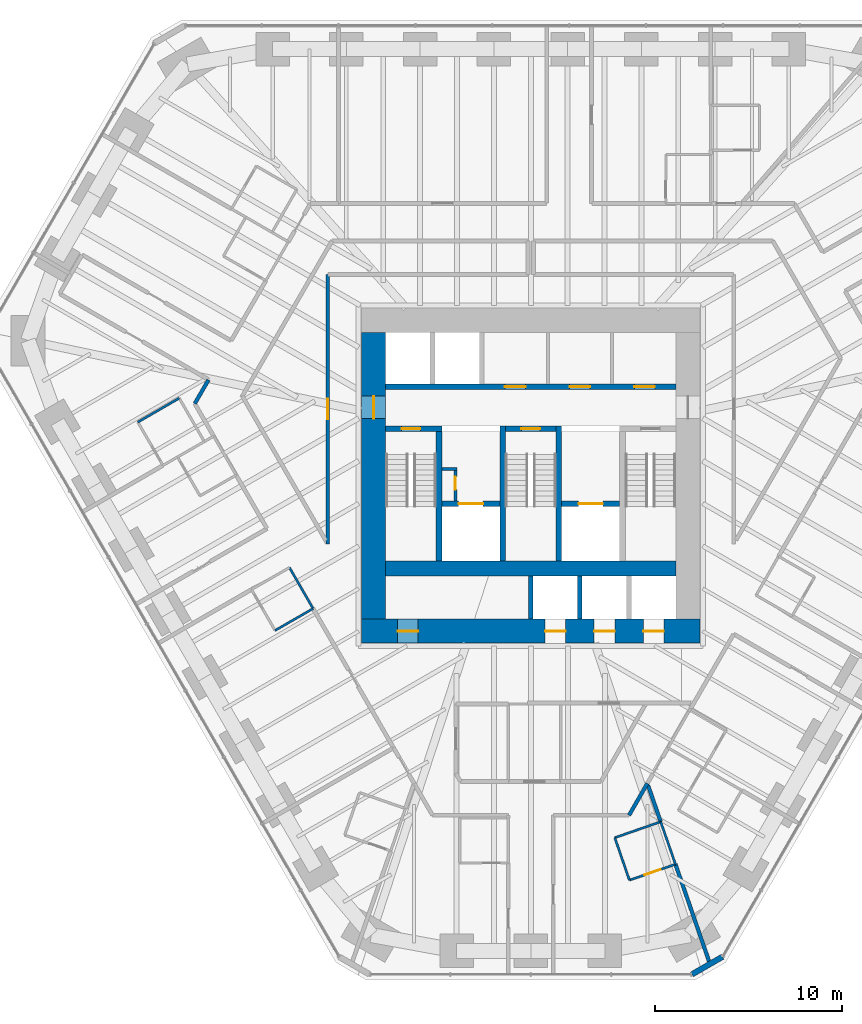
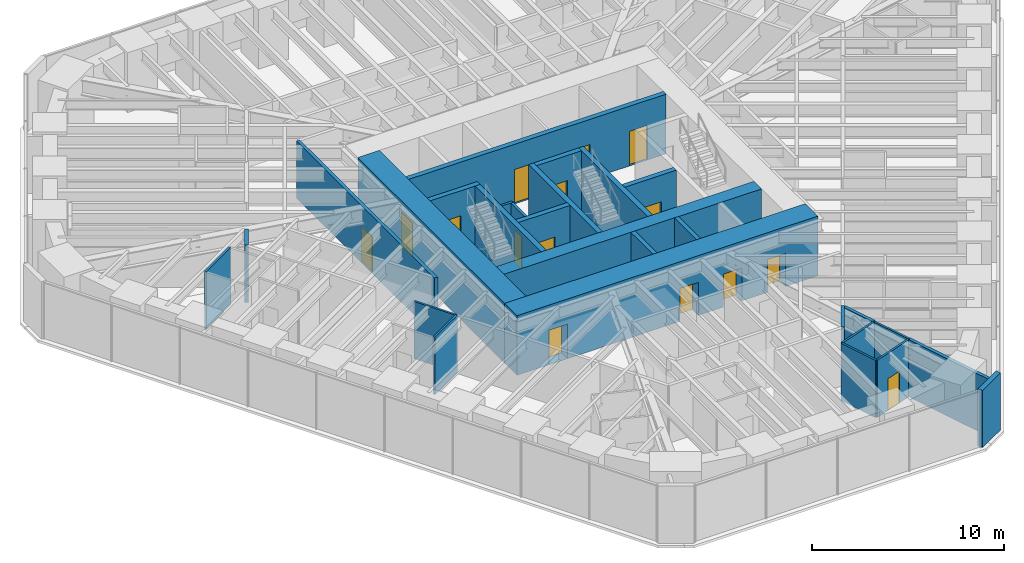
# One storey, part 12 of 16: 28 walls, 15 doors, 15 openings.
"""IFC4 building model written with IfcOpenShell, lengths in metres."""

from ifc_helpers import new_model, si_unit, direction, frame, frame_2d, origin, place, context, subcontext, project, spatial, rectangle, extrude, material, layer, layer_set, type_object, element, fill, save


model = new_model("IFC4")

# Units and contexts
model_context = context("Model", 3, precision=1e-05, world=origin(), true_north=direction((0.0, 1.0)))
body_context = subcontext(model_context, "Body", "Model", "MODEL_VIEW")
ifc_project = project(units=[si_unit("LENGTHUNIT", "METRE"), si_unit("AREAUNIT", "SQUARE_METRE"), si_unit("VOLUMEUNIT", "CUBIC_METRE"), si_unit("PLANEANGLEUNIT", "RADIAN"), si_unit("MASSUNIT", "GRAM", prefix="KILO")], contexts=[model_context])

# Site, building, storey
site_placement = place(None, origin())
site = spatial("IfcSite", under=ifc_project, at=site_placement, CompositionType="ELEMENT")
building_placement = place(site_placement, origin())
building = spatial("IfcBuilding", under=site, at=building_placement, Name="Sandreach Pilgrim Tower", CompositionType="ELEMENT")
storey_placement = place(building_placement, frame((0.0, 0.0, 131.0)))
storey = spatial("IfcBuildingStorey", under=building, at=storey_placement, Name="L32", CompositionType="ELEMENT", Elevation=131.0)

# Walls
ifc_material_1 = material(Name="Moisture-resistant gypsum board on steel studs", Category="steel")
ifc_layer_1 = layer(ifc_material_1, 0.1201171875)
ifc_layer_set_1 = layer_set([ifc_layer_1], Name="Bathroom partition 120")
wall_type_1 = type_object("IfcWallType", Name="Bathroom partition 120", PredefinedType="PARTITIONING", material=ifc_layer_set_1)
wall_1_placement = place(storey_placement, frame((-18.780029296875, 2.590087890625, 0.0), z_axis=(0.0, 0.0, 1.0), x_axis=(-0.865328095335, -0.50120583339, 0.0)))
element("IfcWall", 1, at=wall_1_placement, inside=storey, type_object=wall_type_1, Name="Bathroom partition L32-012", PredefinedType="PARTITIONING", context=body_context, shape_type="SweptSolid", body=[
    extrude(rectangle(XDim=2.553955078125, YDim=0.1201171875, at=frame_2d((1.27685546875, 0.0))), origin(), (0.0, 0.0, 1.0), 3.639892578125),
])
wall_2_placement = place(storey_placement, frame((-13.659912109375, -9.820068359375, 0.0), z_axis=(0.0, 0.0, 1.0), x_axis=(0.866345142729, 0.499445786517, 0.0)))
element("IfcWall", 2, at=wall_2_placement, inside=storey, type_object=wall_type_1, Name="Bathroom partition L32-035", PredefinedType="PARTITIONING", context=body_context, shape_type="SweptSolid", body=[
    extrude(rectangle(XDim=2.343017578125, YDim=0.1201171875, at=frame_2d((1.17138671875, 0.0))), origin(), (0.0, 0.0, 1.0), 3.639892578125),
])
wall_3_placement = place(storey_placement, frame((-12.889892578125, -6.4599609375, 0.0), z_axis=(0.0, 0.0, 1.0), x_axis=(0.498707120669, -0.866770562372, 0.0)))
element("IfcWall", 3, at=wall_3_placement, inside=storey, type_object=wall_type_1, Name="Bathroom partition L32-037", PredefinedType="PARTITIONING", context=body_context, shape_type="SweptSolid", body=[
    extrude(rectangle(XDim=2.526611328125, YDim=0.1201171875, at=frame_2d((1.26318359375, 0.0))), origin(), (0.0, 0.0, 1.0), 3.639892578125),
])
wall_4_placement = place(storey_placement, frame((4.489990234375, -20.889892578125, 0.0), z_axis=(0.0, 0.0, 1.0), x_axis=(0.324971746724, -0.945723724896, 0.0)))
element("IfcWall", 4, at=wall_4_placement, inside=storey, type_object=wall_type_1, Name="Bathroom partition L32-078", PredefinedType="PARTITIONING", context=body_context, shape_type="SweptSolid", body=[
    extrude(rectangle(XDim=2.400390625, YDim=0.1201171875, at=frame_2d((1.2001953125, 0.0))), origin(), (0.0, 0.0, 1.0), 3.639892578125),
])

# Wall, opening, door
wall_5_placement = place(storey_placement, frame((5.27001953125, -23.159912109375, 0.0), z_axis=(0.0, 0.0, 1.0), x_axis=(0.945184415197, 0.326537013627, 0.0)))
wall_5 = element("IfcWall", 5, at=wall_5_placement, inside=storey, type_object=wall_type_1, Name="Bathroom partition L32-080", PredefinedType="PARTITIONING", context=body_context, shape_type="SweptSolid", body=[
    extrude(rectangle(XDim=2.6025390625, YDim=0.1201171875, at=frame_2d((1.30126953125, 0.0))), origin(), (0.0, 0.0, 1.0), 3.639892578125),
])
opening_1_placement = place(wall_5_placement, frame((0.85009765625, 0.0, 0.0)))
opening_1 = element("IfcOpeningElement", 6, at=opening_1_placement, cuts=wall_5, Name="Opening D09-10B", PredefinedType="OPENING", context=body_context, shape_type="SweptSolid", body=[
    extrude(rectangle(XDim=0.89990234375, YDim=2.030029296875, at=frame_2d((0.449951171875, 1.01513671875))), frame((0.0, 0.06005859375, 0.0), z_axis=(0.0, -1.0, 0.0), x_axis=(1.0, 0.0, 0.0)), (0.0, 0.0, 1.0), 0.1201171875),
])
ifc_material_2 = material(Name="Timber door, steel frame", Category="steel")
door_type_1 = type_object("IfcDoorType", Name="Bathroom door", OperationType="SINGLE_SWING_LEFT", PredefinedType="DOOR", material=ifc_material_2)
door_1_placement = place(opening_1_placement, origin())
door_1 = element("IfcDoor", 7, at=door_1_placement, inside=storey, type_object=door_type_1, Name="Door 3210B", OperationType="SINGLE_SWING_LEFT", OverallHeight=2.030029296875, OverallWidth=0.89990234375, PredefinedType="DOOR", context=body_context, shape_type="SweptSolid", body=[
    extrude(rectangle(XDim=0.89990234375, YDim=2.030029296875, at=frame_2d((0.449951171875, 1.01513671875))), frame((0.0, 0.02490234375, 0.0), z_axis=(0.0, -1.0, 0.0), x_axis=(1.0, 0.0, 0.0)), (0.0, 0.0, 1.0), 0.050048828125),
])
fill(opening_1, door_1)

# Walls
wall_6_placement = place(storey_placement, frame((6.93994140625, -20.0400390625, 0.0), z_axis=(0.0, 0.0, 1.0), x_axis=(-0.944772080486, -0.327728112822, 0.0)))
element("IfcWall", 8, at=wall_6_placement, inside=storey, type_object=wall_type_1, Name="Bathroom partition L32-084", PredefinedType="PARTITIONING", context=body_context, shape_type="SweptSolid", body=[
    extrude(rectangle(XDim=2.59326171875, YDim=0.1201171875, at=frame_2d((1.296630859375, 0.0))), origin(), (0.0, 0.0, 1.0), 3.639892578125),
])
wall_7_placement = place(storey_placement, frame((6.93994140625, -20.0400390625, 0.0), z_axis=(0.0, 0.0, 1.0), x_axis=(0.328693963496, -0.944436487203, 0.0)))
element("IfcWall", 9, at=wall_7_placement, inside=storey, type_object=wall_type_1, Name="Bathroom partition L32-085", PredefinedType="PARTITIONING", context=body_context, shape_type="SweptSolid", body=[
    extrude(rectangle(XDim=2.403564453125, YDim=0.1201171875, at=frame_2d((1.20166015625, 0.0))), origin(), (0.0, 0.0, 1.0), 3.639892578125),
])
ifc_material_3 = material(Name="Concrete 10000 psi", Category="concrete")
ifc_layer_2 = layer(ifc_material_3, 0.300048828125)
ifc_layer_set_2 = layer_set([ifc_layer_2], Name="Core inner wall 300")
wall_type_2 = type_object("IfcWallType", Name="Core inner wall 300", PredefinedType="SHEAR", material=ifc_layer_set_2)
for number, where, z_axis, x_axis, name in (
    (10, (-4.89990234375, -6.10009765625, 0.0), (0.0, 0.0, 1.0), (0.0, 1.0, 0.0), "Core wall I0 L32"),
    (11, (-1.5, -6.10009765625, 0.0), (0.0, 0.0, 1.0), (0.0, 1.0, 0.0), "Core wall I1 L32"),
    (12, (1.5, -6.10009765625, 0.0), (0.0, 0.0, 1.0), (0.0, 1.0, 0.0), "Core wall I2 L32"),
):
    element("IfcWall", number, at=place(storey_placement, frame(where, z_axis=z_axis, x_axis=x_axis)), inside=storey, type_object=wall_type_2, Name=name, PredefinedType="SHEAR", context=body_context, shape_type="SweptSolid", body=[
        extrude(rectangle(XDim=7.2001953125, YDim=0.300048828125, at=frame_2d((3.60009765625, 0.0))), origin(), (0.0, 0.0, 1.0), 3.800048828125),
    ])

# Wall, opening, door
wall_8_placement = place(storey_placement, frame((-7.75, 0.949951171875, 0.0), z_axis=(0.0, 0.0, 1.0), x_axis=(1.0, 0.0, 0.0)))
wall_8 = element("IfcWall", 13, at=wall_8_placement, inside=storey, type_object=wall_type_2, Name="Core wall SN1 L32", PredefinedType="SHEAR", context=body_context, shape_type="SweptSolid", body=[
    extrude(rectangle(XDim=3.0, YDim=0.300048828125, at=frame_2d((1.5, 0.0))), origin(), (0.0, 0.0, 1.0), 3.800048828125),
])
opening_2_placement = place(wall_8_placement, frame((0.85009765625, 0.0, 0.0)))
opening_2 = element("IfcOpeningElement", 14, at=opening_2_placement, cuts=wall_8, Name="Opening D10S-ST1", PredefinedType="OPENING", context=body_context, shape_type="SweptSolid", body=[
    extrude(rectangle(XDim=1.0, YDim=2.199951171875, at=frame_2d((0.5, 1.10009765625))), frame((0.0, 0.14990234375, 0.0), z_axis=(0.0, -1.0, 0.0), x_axis=(1.0, 0.0, 0.0)), (0.0, 0.0, 1.0), 0.300048828125),
])
ifc_material_4 = material(Name="Steel door and frame", Category="steel")
door_type_2 = type_object("IfcDoorType", Name="Stair door", OperationType="SINGLE_SWING_LEFT", PredefinedType="DOOR", material=ifc_material_4)
door_2_placement = place(opening_2_placement, origin())
door_2 = element("IfcDoor", 15, at=door_2_placement, inside=storey, type_object=door_type_2, Name="Stair door ST1 L32", OperationType="SINGLE_SWING_LEFT", OverallHeight=2.199951171875, OverallWidth=1.0, PredefinedType="DOOR", context=body_context, shape_type="SweptSolid", body=[
    extrude(rectangle(XDim=1.0, YDim=2.199951171875, at=frame_2d((0.5, 1.10009765625))), frame((0.0, 0.02490234375, 0.0), z_axis=(0.0, -1.0, 0.0), x_axis=(1.0, 0.0, 0.0)), (0.0, 0.0, 1.0), 0.050048828125),
])
fill(opening_2, door_2)

wall_9_placement = place(storey_placement, frame((-1.35009765625, 0.949951171875, 0.0), z_axis=(0.0, 0.0, 1.0), x_axis=(1.0, 0.0, 0.0)))
wall_9 = element("IfcWall", 16, at=wall_9_placement, inside=storey, type_object=wall_type_2, Name="Core wall SN3 L32", PredefinedType="SHEAR", context=body_context, shape_type="SweptSolid", body=[
    extrude(rectangle(XDim=2.7001953125, YDim=0.300048828125, at=frame_2d((1.35009765625, 0.0))), origin(), (0.0, 0.0, 1.0), 3.800048828125),
])
opening_3_placement = place(wall_9_placement, frame((0.85009765625, 0.0, 0.0)))
opening_3 = element("IfcOpeningElement", 17, at=opening_3_placement, cuts=wall_9, Name="Opening D10S-ST3", PredefinedType="OPENING", context=body_context, shape_type="SweptSolid", body=[
    extrude(rectangle(XDim=1.0, YDim=2.199951171875, at=frame_2d((0.5, 1.10009765625))), frame((0.0, 0.14990234375, 0.0), z_axis=(0.0, -1.0, 0.0), x_axis=(1.0, 0.0, 0.0)), (0.0, 0.0, 1.0), 0.300048828125),
])
door_3_placement = place(opening_3_placement, origin())
door_3 = element("IfcDoor", 18, at=door_3_placement, inside=storey, type_object=door_type_2, Name="Stair door ST3 L32", OperationType="SINGLE_SWING_LEFT", OverallHeight=2.199951171875, OverallWidth=1.0, PredefinedType="DOOR", context=body_context, shape_type="SweptSolid", body=[
    extrude(rectangle(XDim=1.0, YDim=2.199951171875, at=frame_2d((0.5, 1.10009765625))), frame((0.0, 0.02490234375, 0.0), z_axis=(0.0, -1.0, 0.0), x_axis=(1.0, 0.0, 0.0)), (0.0, 0.0, 1.0), 0.050048828125),
])
fill(opening_3, door_3)

wall_10_placement = place(storey_placement, frame((-4.75, -3.050048828125, 0.0), z_axis=(0.0, 0.0, 1.0), x_axis=(1.0, 0.0, 0.0)))
wall_10 = element("IfcWall", 19, at=wall_10_placement, inside=storey, type_object=wall_type_2, Name="Core wall FL1 L32", PredefinedType="SHEAR", context=body_context, shape_type="SweptSolid", body=[
    extrude(rectangle(XDim=3.10009765625, YDim=0.300048828125, at=frame_2d((1.550048828125, 0.0))), origin(), (0.0, 0.0, 1.0), 3.800048828125),
])
opening_4_placement = place(wall_10_placement, frame((0.89990234375, 0.0, 0.0)))
opening_4 = element("IfcOpeningElement", 20, at=opening_4_placement, cuts=wall_10, Name="Opening LD13", PredefinedType="OPENING", context=body_context, shape_type="SweptSolid", body=[
    extrude(rectangle(XDim=1.300048828125, YDim=2.10009765625, at=frame_2d((0.64990234375, 1.050048828125))), frame((0.0, 0.14990234375, 0.0), z_axis=(0.0, -1.0, 0.0), x_axis=(1.0, 0.0, 0.0)), (0.0, 0.0, 1.0), 0.300048828125),
])
ifc_material_5 = material(Name="Steel door and frame", Category="steel")
door_type_3 = type_object("IfcDoorType", Name="Fire service lift landing door", OperationType="DOUBLE_DOOR_SLIDING", PredefinedType="DOOR", material=ifc_material_5)
door_4_placement = place(opening_4_placement, origin())
door_4 = element("IfcDoor", 21, at=door_4_placement, inside=storey, type_object=door_type_3, Name="Lift landing door FS1 L32", OperationType="DOUBLE_DOOR_SLIDING", OverallHeight=2.10009765625, OverallWidth=1.300048828125, PredefinedType="DOOR", context=body_context, shape_type="SweptSolid", body=[
    extrude(rectangle(XDim=1.300048828125, YDim=2.10009765625, at=frame_2d((0.64990234375, 1.050048828125))), frame((0.0, 0.02490234375, 0.0), z_axis=(0.0, -1.0, 0.0), x_axis=(1.0, 0.0, 0.0)), (0.0, 0.0, 1.0), 0.050048828125),
])
fill(opening_4, door_4)

wall_11_placement = place(storey_placement, frame((1.64990234375, -3.050048828125, 0.0), z_axis=(0.0, 0.0, 1.0), x_axis=(1.0, 0.0, 0.0)))
wall_11 = element("IfcWall", 22, at=wall_11_placement, inside=storey, type_object=wall_type_2, Name="Core wall FL2 L32", PredefinedType="SHEAR", context=body_context, shape_type="SweptSolid", body=[
    extrude(rectangle(XDim=3.10009765625, YDim=0.300048828125, at=frame_2d((1.550048828125, 0.0))), origin(), (0.0, 0.0, 1.0), 3.800048828125),
])
opening_5_placement = place(wall_11_placement, frame((0.89990234375, 0.0, 0.0)))
opening_5 = element("IfcOpeningElement", 23, at=opening_5_placement, cuts=wall_11, Name="Opening LD13", PredefinedType="OPENING", context=body_context, shape_type="SweptSolid", body=[
    extrude(rectangle(XDim=1.300048828125, YDim=2.10009765625, at=frame_2d((0.64990234375, 1.050048828125))), frame((0.0, 0.14990234375, 0.0), z_axis=(0.0, -1.0, 0.0), x_axis=(1.0, 0.0, 0.0)), (0.0, 0.0, 1.0), 0.300048828125),
])
door_5_placement = place(opening_5_placement, origin())
door_5 = element("IfcDoor", 24, at=door_5_placement, inside=storey, type_object=door_type_3, Name="Lift landing door FS2 L32", OperationType="DOUBLE_DOOR_SLIDING", OverallHeight=2.10009765625, OverallWidth=1.300048828125, PredefinedType="DOOR", context=body_context, shape_type="SweptSolid", body=[
    extrude(rectangle(XDim=1.300048828125, YDim=2.10009765625, at=frame_2d((0.64990234375, 1.050048828125))), frame((0.0, 0.02490234375, 0.0), z_axis=(0.0, -1.0, 0.0), x_axis=(1.0, 0.0, 0.0)), (0.0, 0.0, 1.0), 0.050048828125),
])
fill(opening_5, door_5)

# Wall, openings, doors
wall_12_placement = place(storey_placement, frame((-7.75, 3.199951171875, 0.0), z_axis=(0.0, 0.0, 1.0), x_axis=(1.0, 0.0, 0.0)))
wall_12 = element("IfcWall", 25, at=wall_12_placement, inside=storey, type_object=wall_type_2, Name="Core wall PN L32", PredefinedType="SHEAR", context=body_context, shape_type="SweptSolid", body=[
    extrude(rectangle(XDim=15.5, YDim=0.300048828125, at=frame_2d((7.75, 0.0))), origin(), (0.0, 0.0, 1.0), 3.800048828125),
])
opening_6_placement = place(wall_12_placement, frame((6.370849609375, 0.0, 0.0)))
opening_6 = element("IfcOpeningElement", 26, at=opening_6_placement, cuts=wall_12, Name="Opening D11L", PredefinedType="OPENING", context=body_context, shape_type="SweptSolid", body=[
    extrude(rectangle(XDim=1.10009765625, YDim=2.199951171875, at=frame_2d((0.550048828125, 1.10009765625))), frame((0.0, 0.14990234375, 0.0), z_axis=(0.0, -1.0, 0.0), x_axis=(1.0, 0.0, 0.0)), (0.0, 0.0, 1.0), 0.300048828125),
])
opening_7_placement = place(wall_12_placement, frame((9.824951171875, 0.0, 0.0)))
opening_7 = element("IfcOpeningElement", 27, at=opening_7_placement, cuts=wall_12, Name="Opening D11L", PredefinedType="OPENING", context=body_context, shape_type="SweptSolid", body=[
    extrude(rectangle(XDim=1.10009765625, YDim=2.199951171875, at=frame_2d((0.550048828125, 1.10009765625))), frame((0.0, 0.14990234375, 0.0), z_axis=(0.0, -1.0, 0.0), x_axis=(1.0, 0.0, 0.0)), (0.0, 0.0, 1.0), 0.300048828125),
])
opening_8_placement = place(wall_12_placement, frame((13.279052734375, 0.0, 0.0)))
opening_8 = element("IfcOpeningElement", 28, at=opening_8_placement, cuts=wall_12, Name="Opening D11L", PredefinedType="OPENING", context=body_context, shape_type="SweptSolid", body=[
    extrude(rectangle(XDim=1.10009765625, YDim=2.199951171875, at=frame_2d((0.550048828125, 1.10009765625))), frame((0.0, 0.14990234375, 0.0), z_axis=(0.0, -1.0, 0.0), x_axis=(1.0, 0.0, 0.0)), (0.0, 0.0, 1.0), 0.300048828125),
])
ifc_material_6 = material(Name="Steel door and frame, smoke seals", Category="steel")
door_type_4 = type_object("IfcDoorType", Name="Core room door", OperationType="SINGLE_SWING_LEFT", PredefinedType="DOOR", material=ifc_material_6)
door_6_placement = place(opening_6_placement, origin())
door_6 = element("IfcDoor", 29, at=door_6_placement, inside=storey, type_object=door_type_4, Name="Door linen and housekeeping store 32K1", OperationType="SINGLE_SWING_LEFT", OverallHeight=2.199951171875, OverallWidth=1.10009765625, PredefinedType="DOOR", context=body_context, shape_type="SweptSolid", body=[
    extrude(rectangle(XDim=1.10009765625, YDim=2.199951171875, at=frame_2d((0.550048828125, 1.10009765625))), frame((0.0, 0.02490234375, 0.0), z_axis=(0.0, -1.0, 0.0), x_axis=(1.0, 0.0, 0.0)), (0.0, 0.0, 1.0), 0.050048828125),
])
fill(opening_6, door_6)
door_7_placement = place(opening_7_placement, origin())
door_7 = element("IfcDoor", 30, at=door_7_placement, inside=storey, type_object=door_type_4, Name="Door cleaners store 32K2", OperationType="SINGLE_SWING_RIGHT", OverallHeight=2.199951171875, OverallWidth=1.10009765625, PredefinedType="DOOR", context=body_context, shape_type="SweptSolid", body=[
    extrude(rectangle(XDim=1.10009765625, YDim=2.199951171875, at=frame_2d((0.550048828125, 1.10009765625))), frame((0.0, 0.02490234375, 0.0), z_axis=(0.0, -1.0, 0.0), x_axis=(1.0, 0.0, 0.0)), (0.0, 0.0, 1.0), 0.050048828125),
])
fill(opening_7, door_7)
door_8_placement = place(opening_8_placement, origin())
door_8 = element("IfcDoor", 31, at=door_8_placement, inside=storey, type_object=door_type_4, Name="Door storage room 32K3", OperationType="SINGLE_SWING_RIGHT", OverallHeight=2.199951171875, OverallWidth=1.10009765625, PredefinedType="DOOR", context=body_context, shape_type="SweptSolid", body=[
    extrude(rectangle(XDim=1.10009765625, YDim=2.199951171875, at=frame_2d((0.550048828125, 1.10009765625))), frame((0.0, 0.02490234375, 0.0), z_axis=(0.0, -1.0, 0.0), x_axis=(1.0, 0.0, 0.0)), (0.0, 0.0, 1.0), 0.050048828125),
])
fill(opening_8, door_8)

# Wall
ifc_material_7 = material(Name="Concrete 10000 psi", Category="concrete")
ifc_layer_3 = layer(ifc_material_7, 0.800048828125)
ifc_layer_set_3 = layer_set([ifc_layer_3], Name="Core mid wall 800")
wall_type_3 = type_object("IfcWallType", Name="Core mid wall 800", PredefinedType="SHEAR", material=ifc_layer_set_3)
wall_13_placement = place(storey_placement, frame((-7.75, -6.5, 0.0), z_axis=(0.0, 0.0, 1.0), x_axis=(1.0, 0.0, 0.0)))
element("IfcWall", 32, at=wall_13_placement, inside=storey, type_object=wall_type_3, Name="Core wall M L32", PredefinedType="SHEAR", context=body_context, shape_type="SweptSolid", body=[
    extrude(rectangle(XDim=15.5, YDim=0.800048828125, at=frame_2d((7.75, 0.0))), origin(), (0.0, 0.0, 1.0), 3.800048828125),
])

# Wall, openings, doors
ifc_material_8 = material(Name="Concrete 10000 psi", Category="concrete")
ifc_layer_4 = layer(ifc_material_8, 1.300048828125)
ifc_layer_set_4 = layer_set([ifc_layer_4], Name="Core wall 1300")
wall_type_4 = type_object("IfcWallType", Name="Core wall 1300", PredefinedType="SHEAR", material=ifc_layer_set_4)
wall_14_placement = place(storey_placement, frame((-9.050048828125, -9.85009765625, 0.0), z_axis=(0.0, 0.0, 1.0), x_axis=(1.0, 0.0, 0.0)))
wall_14 = element("IfcWall", 33, at=wall_14_placement, inside=storey, type_object=wall_type_4, Name="Core wall S L32", PredefinedType="SHEAR", context=body_context, shape_type="SweptSolid", body=[
    extrude(rectangle(XDim=18.10009765625, YDim=1.300048828125, at=frame_2d((9.050048828125, 0.0))), origin(), (0.0, 0.0, 1.0), 3.800048828125),
])
opening_9_placement = place(wall_14_placement, frame((1.9375, 0.0, 0.0)))
opening_9 = element("IfcOpeningElement", 34, at=opening_9_placement, cuts=wall_14, Name="Opening D11H", PredefinedType="OPENING", context=body_context, shape_type="SweptSolid", body=[
    extrude(rectangle(XDim=1.10009765625, YDim=2.199951171875, at=frame_2d((0.550048828125, 1.10009765625))), frame((0.0, 0.64990234375, 0.0), z_axis=(0.0, -1.0, 0.0), x_axis=(1.0, 0.0, 0.0)), (0.0, 0.0, 1.0), 1.300048828125),
])
opening_10_placement = place(wall_14_placement, frame((9.8125, 0.0, 0.0)))
opening_10 = element("IfcOpeningElement", 35, at=opening_10_placement, cuts=wall_14, Name="Opening LD11", PredefinedType="OPENING", context=body_context, shape_type="SweptSolid", body=[
    extrude(rectangle(XDim=1.10009765625, YDim=2.10009765625, at=frame_2d((0.550048828125, 1.050048828125))), frame((0.0, 0.64990234375, 0.0), z_axis=(0.0, -1.0, 0.0), x_axis=(1.0, 0.0, 0.0)), (0.0, 0.0, 1.0), 1.300048828125),
])
opening_11_placement = place(wall_14_placement, frame((12.4375, 0.0, 0.0)))
opening_11 = element("IfcOpeningElement", 36, at=opening_11_placement, cuts=wall_14, Name="Opening LD11", PredefinedType="OPENING", context=body_context, shape_type="SweptSolid", body=[
    extrude(rectangle(XDim=1.10009765625, YDim=2.10009765625, at=frame_2d((0.550048828125, 1.050048828125))), frame((0.0, 0.64990234375, 0.0), z_axis=(0.0, -1.0, 0.0), x_axis=(1.0, 0.0, 0.0)), (0.0, 0.0, 1.0), 1.300048828125),
])
opening_12_placement = place(wall_14_placement, frame((15.0625, 0.0, 0.0)))
opening_12 = element("IfcOpeningElement", 37, at=opening_12_placement, cuts=wall_14, Name="Opening LD11", PredefinedType="OPENING", context=body_context, shape_type="SweptSolid", body=[
    extrude(rectangle(XDim=1.10009765625, YDim=2.10009765625, at=frame_2d((0.550048828125, 1.050048828125))), frame((0.0, 0.64990234375, 0.0), z_axis=(0.0, -1.0, 0.0), x_axis=(1.0, 0.0, 0.0)), (0.0, 0.0, 1.0), 1.300048828125),
])
ifc_material_9 = material(Name="Steel door and frame", Category="steel")
door_type_5 = type_object("IfcDoorType", Name="Back of house door", OperationType="SINGLE_SWING_LEFT", PredefinedType="DOOR", material=ifc_material_9)
door_9_placement = place(opening_9_placement, origin())
door_9 = element("IfcDoor", 38, at=door_9_placement, inside=storey, type_object=door_type_5, Name="Door staff room 32K4", OperationType="SINGLE_SWING_LEFT", OverallHeight=2.199951171875, OverallWidth=1.10009765625, PredefinedType="DOOR", context=body_context, shape_type="SweptSolid", body=[
    extrude(rectangle(XDim=1.10009765625, YDim=2.199951171875, at=frame_2d((0.550048828125, 1.10009765625))), frame((0.0, 0.02490234375, 0.0), z_axis=(0.0, -1.0, 0.0), x_axis=(1.0, 0.0, 0.0)), (0.0, 0.0, 1.0), 0.050048828125),
])
fill(opening_9, door_9)
ifc_material_10 = material(Name="Steel door and frame", Category="steel")
door_type_6 = type_object("IfcDoorType", Name="Lift landing door", OperationType="DOUBLE_DOOR_SLIDING", PredefinedType="DOOR", material=ifc_material_10)
door_10_placement = place(opening_10_placement, origin())
door_10 = element("IfcDoor", 39, at=door_10_placement, inside=storey, type_object=door_type_6, Name="Lift landing door Z2A L32", OperationType="DOUBLE_DOOR_SLIDING", OverallHeight=2.10009765625, OverallWidth=1.10009765625, PredefinedType="DOOR", context=body_context, shape_type="SweptSolid", body=[
    extrude(rectangle(XDim=1.10009765625, YDim=2.10009765625, at=frame_2d((0.550048828125, 1.050048828125))), frame((0.0, 0.02490234375, 0.0), z_axis=(0.0, -1.0, 0.0), x_axis=(1.0, 0.0, 0.0)), (0.0, 0.0, 1.0), 0.050048828125),
])
fill(opening_10, door_10)
door_11_placement = place(opening_11_placement, origin())
door_11 = element("IfcDoor", 40, at=door_11_placement, inside=storey, type_object=door_type_6, Name="Lift landing door Z2B L32", OperationType="DOUBLE_DOOR_SLIDING", OverallHeight=2.10009765625, OverallWidth=1.10009765625, PredefinedType="DOOR", context=body_context, shape_type="SweptSolid", body=[
    extrude(rectangle(XDim=1.10009765625, YDim=2.10009765625, at=frame_2d((0.550048828125, 1.050048828125))), frame((0.0, 0.02490234375, 0.0), z_axis=(0.0, -1.0, 0.0), x_axis=(1.0, 0.0, 0.0)), (0.0, 0.0, 1.0), 0.050048828125),
])
fill(opening_11, door_11)
door_12_placement = place(opening_12_placement, origin())
door_12 = element("IfcDoor", 41, at=door_12_placement, inside=storey, type_object=door_type_6, Name="Lift landing door Z2C L32", OperationType="DOUBLE_DOOR_SLIDING", OverallHeight=2.10009765625, OverallWidth=1.10009765625, PredefinedType="DOOR", context=body_context, shape_type="SweptSolid", body=[
    extrude(rectangle(XDim=1.10009765625, YDim=2.10009765625, at=frame_2d((0.550048828125, 1.050048828125))), frame((0.0, 0.02490234375, 0.0), z_axis=(0.0, -1.0, 0.0), x_axis=(1.0, 0.0, 0.0)), (0.0, 0.0, 1.0), 0.050048828125),
])
fill(opening_12, door_12)

# Wall, opening, door
wall_15_placement = place(storey_placement, frame((-8.39990234375, -9.199951171875, 0.0), z_axis=(0.0, 0.0, 1.0), x_axis=(0.0, 1.0, 0.0)))
wall_15 = element("IfcWall", 42, at=wall_15_placement, inside=storey, type_object=wall_type_4, Name="Core wall W L32", PredefinedType="SHEAR", context=body_context, shape_type="SweptSolid", body=[
    extrude(rectangle(XDim=15.300048828125, YDim=1.300048828125, at=frame_2d((7.64990234375, 0.0))), origin(), (0.0, 0.0, 1.0), 3.800048828125),
])
opening_13_placement = place(wall_15_placement, frame((10.699951171875, 0.0, 0.0)))
opening_13 = element("IfcOpeningElement", 43, at=opening_13_placement, cuts=wall_15, Name="Opening D12F-W", PredefinedType="OPENING", context=body_context, shape_type="SweptSolid", body=[
    extrude(rectangle(XDim=1.199951171875, YDim=2.199951171875, at=frame_2d((0.60009765625, 1.10009765625))), frame((0.0, 0.64990234375, 0.0), z_axis=(0.0, -1.0, 0.0), x_axis=(1.0, 0.0, 0.0)), (0.0, 0.0, 1.0), 1.300048828125),
])
ifc_material_11 = material(Name="Steel door and frame", Category="steel")
door_type_7 = type_object("IfcDoorType", Name="Fire lobby door", OperationType="SINGLE_SWING_LEFT", PredefinedType="DOOR", material=ifc_material_11)
door_13_placement = place(opening_13_placement, origin())
door_13 = element("IfcDoor", 44, at=door_13_placement, inside=storey, type_object=door_type_7, Name="Fire service lobby door W L32", OperationType="SINGLE_SWING_RIGHT", OverallHeight=2.199951171875, OverallWidth=1.199951171875, PredefinedType="DOOR", context=body_context, shape_type="SweptSolid", body=[
    extrude(rectangle(XDim=1.199951171875, YDim=2.199951171875, at=frame_2d((0.60009765625, 1.10009765625))), frame((0.0, 0.02490234375, 0.0), z_axis=(0.0, -1.0, 0.0), x_axis=(1.0, 0.0, 0.0)), (0.0, 0.0, 1.0), 0.050048828125),
])
fill(opening_13, door_13)

# Wall
ifc_material_12 = material(Name="Gypsum board on steel studs, two layers each side", Category="steel")
ifc_layer_5 = layer(ifc_material_12, 0.199951171875)
ifc_layer_set_5 = layer_set([ifc_layer_5], Name="Corridor wall 200")
wall_type_5 = type_object("IfcWallType", Name="Corridor wall 200", PredefinedType="PARTITIONING", material=ifc_layer_set_5)
wall_16_placement = place(storey_placement, frame((-17.217529296875, 3.56689453125, 0.0), z_axis=(0.0, 0.0, 1.0), x_axis=(-0.500516625994, -0.865726924095, 0.0)))
element("IfcWall", 45, at=wall_16_placement, inside=storey, type_object=wall_type_5, Name="Corridor wall L32-017", PredefinedType="PARTITIONING", context=body_context, shape_type="SweptSolid", body=[
    extrude(rectangle(XDim=1.46337890625, YDim=0.199951171875, at=frame_2d((0.731689453125, 0.0))), origin(), (0.0, 0.0, 1.0), 3.639892578125),
])

# Wall, opening, door
wall_17_placement = place(storey_placement, frame((-10.85009765625, 9.199951171875, 0.0), z_axis=(0.0, 0.0, 1.0), x_axis=(0.0, -1.0, 0.0)))
wall_17 = element("IfcWall", 46, at=wall_17_placement, inside=storey, type_object=wall_type_5, Name="Corridor wall L32-041", PredefinedType="PARTITIONING", context=body_context, shape_type="SweptSolid", body=[
    extrude(rectangle(XDim=14.389892578125, YDim=0.199951171875, at=frame_2d((7.19482421875, 0.0))), origin(), (0.0, 0.0, 1.0), 3.639892578125),
])
opening_14_placement = place(wall_17_placement, frame((6.64501953125, 0.0, 0.0)))
opening_14 = element("IfcOpeningElement", 47, at=opening_14_placement, cuts=wall_17, Name="Opening D11H-M1", PredefinedType="OPENING", context=body_context, shape_type="SweptSolid", body=[
    extrude(rectangle(XDim=1.10009765625, YDim=2.199951171875, at=frame_2d((0.550048828125, 1.10009765625))), frame((0.0, 0.10009765625, 0.0), z_axis=(0.0, -1.0, 0.0), x_axis=(1.0, 0.0, 0.0)), (0.0, 0.0, 1.0), 0.199951171875),
])
door_14_placement = place(opening_14_placement, origin())
door_14 = element("IfcDoor", 48, at=door_14_placement, inside=storey, type_object=door_type_5, Name="Door 32M1", OperationType="SINGLE_SWING_LEFT", OverallHeight=2.199951171875, OverallWidth=1.10009765625, PredefinedType="DOOR", context=body_context, shape_type="SweptSolid", body=[
    extrude(rectangle(XDim=1.10009765625, YDim=2.199951171875, at=frame_2d((0.550048828125, 1.10009765625))), frame((0.0, 0.02490234375, 0.0), z_axis=(0.0, -1.0, 0.0), x_axis=(1.0, 0.0, 0.0)), (0.0, 0.0, 1.0), 0.050048828125),
])
fill(opening_14, door_14)

# Walls
wall_18_placement = place(storey_placement, frame((5.25, -19.68994140625, 0.0), z_axis=(0.0, 0.0, 1.0), x_axis=(0.499431599995, 0.866353321068, 0.0)))
element("IfcWall", 49, at=wall_18_placement, inside=storey, type_object=wall_type_5, Name="Corridor wall L32-079", PredefinedType="PARTITIONING", context=body_context, shape_type="SweptSolid", body=[
    extrude(rectangle(XDim=1.962158203125, YDim=0.199951171875, at=frame_2d((0.98095703125, 0.0))), origin(), (0.0, 0.0, 1.0), 3.639892578125),
])
ifc_material_13 = material(Name="Double steel stud acoustic wall, gypsum board", Category="steel")
ifc_layer_6 = layer(ifc_material_13, 0.199951171875)
ifc_layer_set_6 = layer_set([ifc_layer_6], Name="Party wall 200")
wall_type_6 = type_object("IfcWallType", Name="Party wall 200", PredefinedType="PARTITIONING", material=ifc_layer_set_6)
wall_19_placement = place(storey_placement, frame((6.267578125, -18.0986328125, 0.0), z_axis=(0.0, 0.0, 1.0), x_axis=(0.327257488288, -0.944935202202, 0.0)))
element("IfcWall", 50, at=wall_19_placement, inside=storey, type_object=wall_type_6, Name="Party wall L32-083", PredefinedType="PARTITIONING", context=body_context, shape_type="SweptSolid", body=[
    extrude(rectangle(XDim=2.054443359375, YDim=0.199951171875, at=frame_2d((1.02734375, 0.0))), origin(), (0.0, 0.0, 1.0), 3.639892578125),
])
wall_20_placement = place(storey_placement, frame((7.72998046875, -22.31005859375, 0.0), z_axis=(0.0, 0.0, 1.0), x_axis=(0.327284111977, -0.944925981253, 0.0)))
element("IfcWall", 51, at=wall_20_placement, inside=storey, type_object=wall_type_6, Name="Party wall L32-090", PredefinedType="PARTITIONING", context=body_context, shape_type="SweptSolid", body=[
    extrude(rectangle(XDim=5.65283203125, YDim=0.199951171875, at=frame_2d((2.826416015625, 0.0))), origin(), (0.0, 0.0, 1.0), 3.639892578125),
])

# Wall, opening, door
ifc_material_14 = material(Name="Gypsum shaft wall on steel studs, shaft liner board", Category="steel")
ifc_layer_7 = layer(ifc_material_14, 0.14990234375)
ifc_layer_set_7 = layer_set([ifc_layer_7], Name="Riser shaft wall 150")
wall_type_7 = type_object("IfcWallType", Name="Riser shaft wall 150", PredefinedType="PARTITIONING", material=ifc_layer_set_7)
wall_21_placement = place(storey_placement, frame((-4.02490234375, -2.89990234375, 0.0), z_axis=(0.0, 0.0, 1.0), x_axis=(0.0, 1.0, 0.0)))
wall_21 = element("IfcWall", 52, at=wall_21_placement, inside=storey, type_object=wall_type_7, Name="Riser partition L32 side", PredefinedType="PARTITIONING", context=body_context, shape_type="SweptSolid", body=[
    extrude(rectangle(XDim=1.77490234375, YDim=0.14990234375, at=frame_2d((0.887451171875, 0.0))), origin(), (0.0, 0.0, 1.0), 3.639892578125),
])
opening_15_placement = place(wall_21_placement, frame((0.60009765625, 0.0, 0.0)))
opening_15 = element("IfcOpeningElement", 53, at=opening_15_placement, cuts=wall_21, Name="Opening D07R", PredefinedType="OPENING", context=body_context, shape_type="SweptSolid", body=[
    extrude(rectangle(XDim=0.699951171875, YDim=2.10009765625, at=frame_2d((0.35009765625, 1.050048828125))), frame((0.0, 0.074951171875, 0.0), z_axis=(0.0, -1.0, 0.0), x_axis=(1.0, 0.0, 0.0)), (0.0, 0.0, 1.0), 0.14990234375),
])
ifc_material_15 = material(Name="Steel door and frame, smoke seals", Category="steel")
door_type_8 = type_object("IfcDoorType", Name="Riser access door", OperationType="SINGLE_SWING_RIGHT", PredefinedType="DOOR", material=ifc_material_15)
door_15_placement = place(opening_15_placement, origin())
door_15 = element("IfcDoor", 54, at=door_15_placement, inside=storey, type_object=door_type_8, Name="Door riser 32ER", OperationType="SINGLE_SWING_RIGHT", OverallHeight=2.10009765625, OverallWidth=0.699951171875, PredefinedType="DOOR", context=body_context, shape_type="SweptSolid", body=[
    extrude(rectangle(XDim=0.699951171875, YDim=2.10009765625, at=frame_2d((0.35009765625, 1.050048828125))), frame((0.0, 0.02490234375, 0.0), z_axis=(0.0, -1.0, 0.0), x_axis=(1.0, 0.0, 0.0)), (0.0, 0.0, 1.0), 0.050048828125),
])
fill(opening_15, door_15)

# Walls
wall_22_placement = place(storey_placement, frame((-4.75, -1.199951171875, 0.0), z_axis=(0.0, 0.0, 1.0), x_axis=(1.0, 0.0, 0.0)))
element("IfcWall", 55, at=wall_22_placement, inside=storey, type_object=wall_type_7, Name="Riser partition L32 front", PredefinedType="PARTITIONING", context=body_context, shape_type="SweptSolid", body=[
    extrude(rectangle(XDim=0.800048828125, YDim=0.14990234375, at=frame_2d((0.39990234375, 0.0))), origin(), (0.0, 0.0, 1.0), 3.639892578125),
])
ifc_material_16 = material(Name="Gypsum shaft wall on steel studs, two layers of shaft liner board", Category="steel")
ifc_layer_8 = layer(ifc_material_16, 0.25)
ifc_layer_set_8 = layer_set([ifc_layer_8], Name="Shaft partition 250")
wall_type_8 = type_object("IfcWallType", Name="Shaft partition 250", PredefinedType="PARTITIONING", material=ifc_layer_set_8)
for number, where, z_axis, x_axis, name in (
    (56, (0.0, -9.199951171875, 0.0), (0.0, 0.0, 1.0), (0.0, 1.0, 0.0), "Shaft partition XS2 L32"),
    (57, (2.625, -9.199951171875, 0.0), (0.0, 0.0, 1.0), (0.0, 1.0, 0.0), "Shaft partition XS3 L32"),
):
    element("IfcWall", number, at=place(storey_placement, frame(where, z_axis=z_axis, x_axis=x_axis)), inside=storey, type_object=wall_type_8, Name=name, PredefinedType="PARTITIONING", context=body_context, shape_type="SweptSolid", body=[
        extrude(rectangle(XDim=2.300048828125, YDim=0.25, at=frame_2d((1.14990234375, 0.0))), origin(), (0.0, 0.0, 1.0), 3.800048828125),
    ])
ifc_material_17 = material(Name="Terracotta rainscreen on concrete", Category="masonry")
ifc_layer_9 = layer(ifc_material_17, 0.300048828125)
ifc_layer_set_9 = layer_set([ifc_layer_9], Name="Terracotta chamfer pier")
wall_type_9 = type_object("IfcWallType", Name="Terracotta chamfer pier", PredefinedType="SOLIDWALL", material=ifc_layer_set_9)
wall_23_placement = place(storey_placement, frame((10.239501953125, -27.252197265625, 0.0), z_axis=(0.0, 0.0, 1.0), x_axis=(-0.866045024864, -0.499966013754, 0.0)))
element("IfcWall", 58, at=wall_23_placement, inside=storey, type_object=wall_type_9, Name="Chamfer pier L32 SE", PredefinedType="SOLIDWALL", context=body_context, shape_type="SweptSolid", body=[
    extrude(rectangle(XDim=1.880126953125, YDim=0.300048828125, at=frame_2d((0.93994140625, 0.0))), origin(), (0.0, 0.0, 1.0), 3.639892578125),
])

save(model, "model.ifc")
